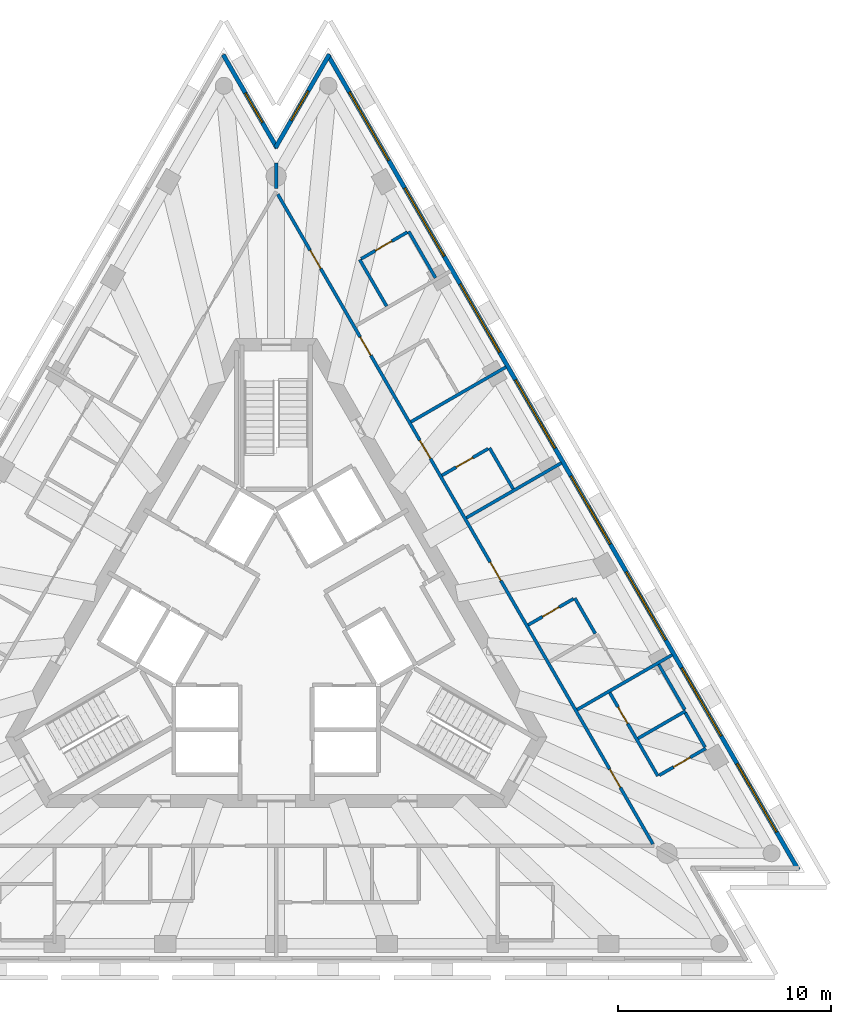
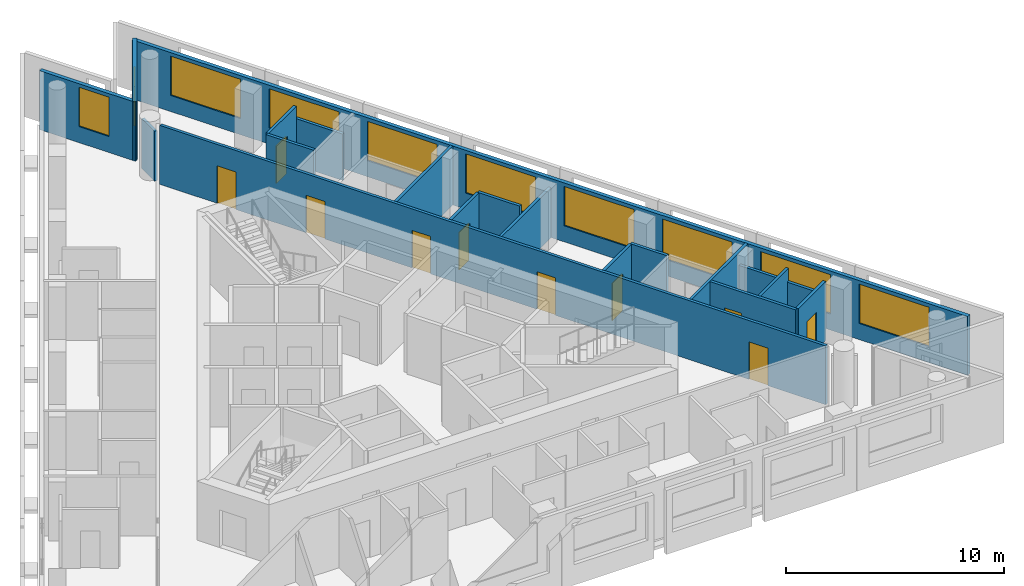
# One storey, part 7 of 10: 20 walls, 10 doors, 10 windows, 20 openings.
"""IFC4 building model written with IfcOpenShell, lengths in metres."""

import ifcopenshell
import ifcopenshell.guid

model = None  # the IFC model being written
_history = None  # IfcOwnerHistory: only IFC2X3 demands one
_inside = {}  # id of a spatial element -> (the spatial element, [elements in it])
_under = {}  # id of a project, library or spatial element -> (it, [spatial elements below it])
_declared = {}  # id of a project -> (the project, [libraries it declares])
_typed = {}  # id of a type object -> (the type object, [elements of that type])
_made_of = {}  # id of a material, layer set ... -> (it, [elements and type objects made of it])


def new_model(schema):
    """Start an empty IFC model of exactly this schema.

    Asked for "IFC4X3", IfcOpenShell would pick the latest addendum, in which some entities
    have other attributes; the version numbers below select the first issue.
    IFC2X3 requires an IfcOwnerHistory on every rooted entity: one is made here for all.
    """
    global model, _history
    if schema == "IFC4X3":
        model = ifcopenshell.file(schema_version=(4, 3, 0, 0))
    else:
        model = ifcopenshell.file(schema=schema)
    _inside.clear()
    _under.clear()
    _declared.clear()
    _typed.clear()
    _made_of.clear()
    _history = None
    if model.schema == "IFC2X3":
        org = make("IfcOrganization", Name="unknown")
        user = make(
            "IfcPersonAndOrganization",
            ThePerson=make("IfcPerson", FamilyName="unknown"),
            TheOrganization=org,
        )
        app = make(
            "IfcApplication",
            ApplicationDeveloper=org,
            Version="unknown",
            ApplicationFullName="unknown",
            ApplicationIdentifier="unknown",
        )
        _history = make(
            "IfcOwnerHistory",
            OwningUser=user,
            OwningApplication=app,
            ChangeAction="ADDED",
            CreationDate=0,
        )
    return model


def make(cls, **values):
    """One entity of the class cls with the attributes given. An attribute that is None is left unset."""
    return model.create_entity(
        cls, **{name: value for name, value in values.items() if value is not None}
    )


def rooted(cls, **values):
    """An entity with a GlobalId (a new one), such as an element, a storey or a relation."""
    return make(cls, GlobalId=ifcopenshell.guid.new(), OwnerHistory=_history, **values)


def si_unit(unit_type, name, prefix=None):
    """IfcSIUnit, for example si_unit("LENGTHUNIT", "METRE", prefix="MILLI")."""
    return make("IfcSIUnit", UnitType=unit_type, Prefix=prefix, Name=name)


def assignment(units):
    """IfcUnitAssignment: the units of a project."""
    return None if units is None else make("IfcUnitAssignment", Units=units)


def point(xyz):
    """IfcCartesianPoint."""
    return None if xyz is None else make("IfcCartesianPoint", Coordinates=xyz)


def direction(xyz):
    """IfcDirection."""
    return None if xyz is None else make("IfcDirection", DirectionRatios=xyz)


def frame(location, z_axis=None, x_axis=None):
    """IfcAxis2Placement3D, a coordinate frame: its origin and axes. An axis left out is left unset."""
    return make(
        "IfcAxis2Placement3D",
        Location=point(location),
        Axis=direction(z_axis),
        RefDirection=direction(x_axis),
    )


def frame_2d(location, x_axis=None):
    """IfcAxis2Placement2D, a coordinate frame in the plane: its origin and x axis."""
    return make(
        "IfcAxis2Placement2D", Location=point(location), RefDirection=direction(x_axis)
    )


def origin():
    """The frame at (0, 0, 0) with its axes left unset."""
    return frame((0.0, 0.0, 0.0))


def place(relative_to, where):
    """IfcLocalPlacement: puts the frame where relative to a parent placement (None: the world)."""
    return make(
        "IfcLocalPlacement", PlacementRelTo=relative_to, RelativePlacement=where
    )


def context(
    kind, dimensions, precision=None, world=None, true_north=None, identifier=None
):
    """IfcGeometricRepresentationContext, for example the 3D "Model" context."""
    return make(
        "IfcGeometricRepresentationContext",
        ContextIdentifier=identifier,
        ContextType=kind,
        CoordinateSpaceDimension=dimensions,
        Precision=precision,
        WorldCoordinateSystem=world,
        TrueNorth=true_north,
    )


def subcontext(parent, identifier, kind, view, scale=None):
    """IfcGeometricRepresentationSubContext, for example "Body" below "Model"."""
    return make(
        "IfcGeometricRepresentationSubContext",
        ContextIdentifier=identifier,
        ContextType=kind,
        ParentContext=parent,
        TargetScale=scale,
        TargetView=view,
    )


def project(units=None, contexts=None):
    """IfcProject with its units and contexts."""
    return rooted(
        "IfcProject",
        Name="project",
        RepresentationContexts=contexts,
        UnitsInContext=assignment(units),
    )


def spatial(cls, under=None, at=None, **own):
    """A site, building, storey or space (cls), placed at a placement, below another one or the project."""
    s = rooted(cls, ObjectPlacement=at, **own)
    if under is not None:
        _under.setdefault(under.id(), (under, []))[1].append(s)
    return s


def profile(cls, at=None, kind="AREA", **sizes):
    """A parametric profile (cls). Its sizes go by their IFC names, for example OverallWidth=200.0."""
    return make(cls, ProfileType=kind, Position=at, **sizes)


def rectangle(**sizes):
    """IfcRectangleProfileDef."""
    return profile("IfcRectangleProfileDef", **sizes)


def extrude(swept, where, along, depth):
    """IfcExtrudedAreaSolid: the profile swept, set in the frame where, extruded along a direction by depth."""
    return make(
        "IfcExtrudedAreaSolid",
        SweptArea=swept,
        Position=where,
        ExtrudedDirection=direction(along),
        Depth=depth,
    )


def shape(context_of_items, identifier, shape_type, items):
    """IfcShapeRepresentation: the items that make up one representation, for example the "Body"."""
    return make(
        "IfcShapeRepresentation",
        ContextOfItems=context_of_items,
        RepresentationIdentifier=identifier,
        RepresentationType=shape_type,
        Items=items,
    )


def material(Name=None, Category=None):
    """IfcMaterial."""
    return make("IfcMaterial", Name=Name, Category=Category)


def layer(
    of_material, thickness, ventilated=None, Name=None, Category=None, Priority=None
):
    """IfcMaterialLayer: one layer of a wall or slab, of a material (None: an air gap)."""
    return make(
        "IfcMaterialLayer",
        Material=of_material,
        LayerThickness=thickness,
        IsVentilated=ventilated,
        Name=Name,
        Category=Category,
        Priority=Priority,
    )


def layer_set(layers, Name=None):
    """IfcMaterialLayerSet."""
    return make("IfcMaterialLayerSet", MaterialLayers=layers, LayerSetName=Name)


def layer_usage(for_layer_set, set_direction, sense, offset, extent=None):
    """IfcMaterialLayerSetUsage: how a layer set lies in its element."""
    return make(
        "IfcMaterialLayerSetUsage",
        ForLayerSet=for_layer_set,
        LayerSetDirection=set_direction,
        DirectionSense=sense,
        OffsetFromReferenceLine=offset,
        ReferenceExtent=extent,
    )


def made_of(thing, what):
    """Note that an element or type object is made of a material, layer set ...; save() writes the relation."""
    if what is not None:
        _made_of.setdefault(what.id(), (what, []))[1].append(thing)
    return thing


def type_object(cls, material=None, **own):
    """A type object (cls), such as IfcWallType, which elements share."""
    return made_of(rooted(cls, **own), material)


def element(
    cls,
    number,
    at=None,
    inside=None,
    cuts=None,
    type_object=None,
    material=None,
    context=None,
    identifier="Body",
    shape_type=None,
    held_by="IfcProductDefinitionShape",
    body=None,
    shapes=None,
    **own,
):
    """One element of the class cls, such as IfcWall. Its Tag is "e" and its number.

    at: its placement. inside: the storey or other place that contains it. cuts: it is an
    opening in that element (IfcRelVoidsElement). A single representation is given by context,
    identifier, shape_type and body (its items); several are given by shapes. held_by: the class
    of the entity that holds the representations. save() writes the other relations.
    """
    e = rooted(cls, Tag="e%d" % number, ObjectPlacement=at, **own)
    if body is not None:
        shapes = [shape(context, identifier, shape_type, body)]
    if shapes is not None:
        e.Representation = make(held_by, Representations=shapes)
    if inside is not None:
        _inside.setdefault(inside.id(), (inside, []))[1].append(e)
    if cuts is not None:
        rooted(
            "IfcRelVoidsElement", RelatingBuildingElement=cuts, RelatedOpeningElement=e
        )
    if type_object is not None:
        _typed.setdefault(type_object.id(), (type_object, []))[1].append(e)
    return made_of(e, material)


def fill(opening, filler):
    """IfcRelFillsElement: the door or window that sits in an opening."""
    return rooted(
        "IfcRelFillsElement",
        RelatingOpeningElement=opening,
        RelatedBuildingElement=filler,
    )


def aggregate(whole, parts):
    """IfcRelAggregates: a whole, such as a stair, and the parts it consists of."""
    return rooted("IfcRelAggregates", RelatingObject=whole, RelatedObjects=parts)


def save(model, path):
    """Write the relations noted so far, then the file.

    IfcRelAggregates (storeys below a building ...), IfcRelContainedInSpatialStructure (elements
    in a storey), IfcRelDefinesByType, IfcRelAssociatesMaterial and IfcRelDeclares: one each for
    every whole, place, type object, material and project.
    """
    for whole, parts in _under.values():
        aggregate(whole, parts)
    for where, things in _inside.values():
        rooted(
            "IfcRelContainedInSpatialStructure",
            RelatedElements=things,
            RelatingStructure=where,
        )
    for kind, things in _typed.values():
        rooted("IfcRelDefinesByType", RelatedObjects=things, RelatingType=kind)
    for what, things in _made_of.values():
        rooted("IfcRelAssociatesMaterial", RelatedObjects=things, RelatingMaterial=what)
    for by, libraries in _declared.values():
        rooted("IfcRelDeclares", RelatingContext=by, RelatedDefinitions=libraries)
    model.write(path)


model = new_model("IFC4")

# Units and contexts
model_context = context("Model", 3, precision=1e-05, world=origin(), true_north=direction((0.0, 1.0)))
body_context = subcontext(model_context, "Body", "Model", "MODEL_VIEW")
ifc_project = project(units=[si_unit("LENGTHUNIT", "METRE"), si_unit("AREAUNIT", "SQUARE_METRE"), si_unit("VOLUMEUNIT", "CUBIC_METRE"), si_unit("PLANEANGLEUNIT", "RADIAN"), si_unit("MASSUNIT", "GRAM", prefix="KILO")], contexts=[model_context])

# Site, building, storey
site_placement = place(None, origin())
site = spatial("IfcSite", under=ifc_project, at=site_placement, CompositionType="ELEMENT")
building_placement = place(site_placement, origin())
building = spatial("IfcBuilding", under=site, at=building_placement, Name="Triada Interchange Tower", CompositionType="ELEMENT")
storey_placement = place(building_placement, frame((0.0, 0.0, 311.5)))
storey = spatial("IfcBuildingStorey", under=building, at=storey_placement, Name="L74", CompositionType="ELEMENT", Elevation=311.5)

# Wall, openings, windows
ifc_material_1 = material(Name="Cement board")
ifc_layer_1 = layer(ifc_material_1, 0.02001953125, Name="Cement board cladding")
ifc_material_2 = material(Name="Sheathing board")
ifc_layer_2 = layer(ifc_material_2, 0.014892578125, Name="Sheathing board")
ifc_material_3 = material(Name="Mineral wool")
ifc_layer_3 = layer(ifc_material_3, 0.14990234375, Name="Mineral wool between steel studs")
ifc_material_4 = material(Name="Gypsum board")
ifc_layer_4 = layer(ifc_material_4, 0.014892578125, Name="Plasterboard lining")
ifc_layer_set_1 = layer_set([ifc_layer_1, ifc_layer_2, ifc_layer_3, ifc_layer_4], Name="External wall 200")
ifc_layer_usage = layer_usage(ifc_layer_set_1, "AXIS2", "POSITIVE", -0.10009765625)
wall_type_1 = type_object("IfcWallType", Name="External wall 200", PredefinedType="ELEMENTEDWALL", material=ifc_layer_set_1)
wall_1_placement = place(storey_placement, frame((24.5439453125, -11.385009765625, 0.0), z_axis=(0.0, 0.0, 1.0), x_axis=(-0.500002044679, 0.866024223285, 0.0)))
wall_1 = element("IfcWall", 1, at=wall_1_placement, inside=storey, type_object=wall_type_1, material=ifc_layer_usage, Name="External wall L74 NE", PredefinedType="ELEMENTEDWALL", context=body_context, shape_type="SweptSolid", body=[
    extrude(rectangle(XDim=44.243408203125, YDim=0.199951171875, at=frame_2d((22.12158203125, 0.0))), origin(), (0.0, 0.0, 1.0), 3.300048828125),
])
opening_1_placement = place(wall_1_placement, frame((2.055908203125, 0.0, 0.89990234375)))
opening_1 = element("IfcOpeningElement", 2, at=opening_1_placement, cuts=wall_1, Name="Opening WD21", PredefinedType="OPENING", context=body_context, shape_type="SweptSolid", body=[
    extrude(rectangle(XDim=3.699951171875, YDim=2.199951171875, at=frame_2d((1.85009765625, 1.10009765625))), frame((0.0, 0.10986328125, 0.0), z_axis=(0.0, -1.0, 0.0), x_axis=(1.0, 0.0, 0.0)), (0.0, 0.0, 1.0), 0.219970703125),
])
opening_2_placement = place(wall_1_placement, frame((7.263916015625, 0.0, 0.89990234375)))
opening_2 = element("IfcOpeningElement", 3, at=opening_2_placement, cuts=wall_1, Name="Opening WD22", PredefinedType="OPENING", context=body_context, shape_type="SweptSolid", body=[
    extrude(rectangle(XDim=3.699951171875, YDim=2.199951171875, at=frame_2d((1.85009765625, 1.10009765625))), frame((0.0, 0.10986328125, 0.0), z_axis=(0.0, -1.0, 0.0), x_axis=(1.0, 0.0, 0.0)), (0.0, 0.0, 1.0), 0.219970703125),
])
opening_3_placement = place(wall_1_placement, frame((12.470947265625, 0.0, 0.89990234375)))
opening_3 = element("IfcOpeningElement", 4, at=opening_3_placement, cuts=wall_1, Name="Opening WD23", PredefinedType="OPENING", context=body_context, shape_type="SweptSolid", body=[
    extrude(rectangle(XDim=3.699951171875, YDim=2.199951171875, at=frame_2d((1.85009765625, 1.10009765625))), frame((0.0, 0.10986328125, 0.0), z_axis=(0.0, -1.0, 0.0), x_axis=(1.0, 0.0, 0.0)), (0.0, 0.0, 1.0), 0.219970703125),
])
opening_4_placement = place(wall_1_placement, frame((17.677978515625, 0.0, 0.89990234375)))
opening_4 = element("IfcOpeningElement", 5, at=opening_4_placement, cuts=wall_1, Name="Opening WD24", PredefinedType="OPENING", context=body_context, shape_type="SweptSolid", body=[
    extrude(rectangle(XDim=3.699951171875, YDim=2.199951171875, at=frame_2d((1.85009765625, 1.10009765625))), frame((0.0, 0.10986328125, 0.0), z_axis=(0.0, -1.0, 0.0), x_axis=(1.0, 0.0, 0.0)), (0.0, 0.0, 1.0), 0.219970703125),
])
opening_5_placement = place(wall_1_placement, frame((22.885009765625, 0.0, 0.89990234375)))
opening_5 = element("IfcOpeningElement", 6, at=opening_5_placement, cuts=wall_1, Name="Opening WD25", PredefinedType="OPENING", context=body_context, shape_type="SweptSolid", body=[
    extrude(rectangle(XDim=3.699951171875, YDim=2.199951171875, at=frame_2d((1.85009765625, 1.10009765625))), frame((0.0, 0.10986328125, 0.0), z_axis=(0.0, -1.0, 0.0), x_axis=(1.0, 0.0, 0.0)), (0.0, 0.0, 1.0), 0.219970703125),
])
opening_6_placement = place(wall_1_placement, frame((28.093017578125, 0.0, 0.89990234375)))
opening_6 = element("IfcOpeningElement", 7, at=opening_6_placement, cuts=wall_1, Name="Opening WD26", PredefinedType="OPENING", context=body_context, shape_type="SweptSolid", body=[
    extrude(rectangle(XDim=3.699951171875, YDim=2.199951171875, at=frame_2d((1.85009765625, 1.10009765625))), frame((0.0, 0.10986328125, 0.0), z_axis=(0.0, -1.0, 0.0), x_axis=(1.0, 0.0, 0.0)), (0.0, 0.0, 1.0), 0.219970703125),
])
opening_7_placement = place(wall_1_placement, frame((33.300048828125, 0.0, 0.89990234375)))
opening_7 = element("IfcOpeningElement", 8, at=opening_7_placement, cuts=wall_1, Name="Opening WD27", PredefinedType="OPENING", context=body_context, shape_type="SweptSolid", body=[
    extrude(rectangle(XDim=3.699951171875, YDim=2.199951171875, at=frame_2d((1.85009765625, 1.10009765625))), frame((0.0, 0.10986328125, 0.0), z_axis=(0.0, -1.0, 0.0), x_axis=(1.0, 0.0, 0.0)), (0.0, 0.0, 1.0), 0.219970703125),
])
opening_8_placement = place(wall_1_placement, frame((38.507080078125, 0.0, 0.89990234375)))
opening_8 = element("IfcOpeningElement", 9, at=opening_8_placement, cuts=wall_1, Name="Opening WD28", PredefinedType="OPENING", context=body_context, shape_type="SweptSolid", body=[
    extrude(rectangle(XDim=3.699951171875, YDim=2.199951171875, at=frame_2d((1.85009765625, 1.10009765625))), frame((0.0, 0.10986328125, 0.0), z_axis=(0.0, -1.0, 0.0), x_axis=(1.0, 0.0, 0.0)), (0.0, 0.0, 1.0), 0.219970703125),
])
ifc_material_5 = material(Name="Double glazed aluminium window", Category="aluminium")
window_type_1 = type_object("IfcWindowType", Name="Ribbon window D face", PartitioningType="SINGLE_PANEL", PredefinedType="WINDOW", material=ifc_material_5)
window_1_placement = place(opening_1_placement, origin())
window_1 = element("IfcWindow", 10, at=window_1_placement, inside=storey, type_object=window_type_1, Name="Window L74 NE 1", OverallHeight=2.199951171875, OverallWidth=3.699951171875, PartitioningType="SINGLE_PANEL", PredefinedType="WINDOW", context=body_context, shape_type="SweptSolid", body=[
    extrude(rectangle(XDim=3.699951171875, YDim=2.199951171875, at=frame_2d((1.85009765625, 1.10009765625))), frame((0.0, 0.030029296875, 0.0), z_axis=(0.0, -1.0, 0.0), x_axis=(1.0, 0.0, 0.0)), (0.0, 0.0, 1.0), 0.06005859375),
])
fill(opening_1, window_1)
window_2_placement = place(opening_2_placement, origin())
window_2 = element("IfcWindow", 11, at=window_2_placement, inside=storey, type_object=window_type_1, Name="Window L74 NE 2", OverallHeight=2.199951171875, OverallWidth=3.699951171875, PartitioningType="SINGLE_PANEL", PredefinedType="WINDOW", context=body_context, shape_type="SweptSolid", body=[
    extrude(rectangle(XDim=3.699951171875, YDim=2.199951171875, at=frame_2d((1.85009765625, 1.10009765625))), frame((0.0, 0.030029296875, 0.0), z_axis=(0.0, -1.0, 0.0), x_axis=(1.0, 0.0, 0.0)), (0.0, 0.0, 1.0), 0.06005859375),
])
fill(opening_2, window_2)
window_3_placement = place(opening_3_placement, origin())
window_3 = element("IfcWindow", 12, at=window_3_placement, inside=storey, type_object=window_type_1, Name="Window L74 NE 3", OverallHeight=2.199951171875, OverallWidth=3.699951171875, PartitioningType="SINGLE_PANEL", PredefinedType="WINDOW", context=body_context, shape_type="SweptSolid", body=[
    extrude(rectangle(XDim=3.699951171875, YDim=2.199951171875, at=frame_2d((1.85009765625, 1.10009765625))), frame((0.0, 0.030029296875, 0.0), z_axis=(0.0, -1.0, 0.0), x_axis=(1.0, 0.0, 0.0)), (0.0, 0.0, 1.0), 0.06005859375),
])
fill(opening_3, window_3)
window_4_placement = place(opening_4_placement, origin())
window_4 = element("IfcWindow", 13, at=window_4_placement, inside=storey, type_object=window_type_1, Name="Window L74 NE 4", OverallHeight=2.199951171875, OverallWidth=3.699951171875, PartitioningType="SINGLE_PANEL", PredefinedType="WINDOW", context=body_context, shape_type="SweptSolid", body=[
    extrude(rectangle(XDim=3.699951171875, YDim=2.199951171875, at=frame_2d((1.85009765625, 1.10009765625))), frame((0.0, 0.030029296875, 0.0), z_axis=(0.0, -1.0, 0.0), x_axis=(1.0, 0.0, 0.0)), (0.0, 0.0, 1.0), 0.06005859375),
])
fill(opening_4, window_4)
window_5_placement = place(opening_5_placement, origin())
window_5 = element("IfcWindow", 14, at=window_5_placement, inside=storey, type_object=window_type_1, Name="Window L74 NE 5", OverallHeight=2.199951171875, OverallWidth=3.699951171875, PartitioningType="SINGLE_PANEL", PredefinedType="WINDOW", context=body_context, shape_type="SweptSolid", body=[
    extrude(rectangle(XDim=3.699951171875, YDim=2.199951171875, at=frame_2d((1.85009765625, 1.10009765625))), frame((0.0, 0.030029296875, 0.0), z_axis=(0.0, -1.0, 0.0), x_axis=(1.0, 0.0, 0.0)), (0.0, 0.0, 1.0), 0.06005859375),
])
fill(opening_5, window_5)
window_6_placement = place(opening_6_placement, origin())
window_6 = element("IfcWindow", 15, at=window_6_placement, inside=storey, type_object=window_type_1, Name="Window L74 NE 6", OverallHeight=2.199951171875, OverallWidth=3.699951171875, PartitioningType="SINGLE_PANEL", PredefinedType="WINDOW", context=body_context, shape_type="SweptSolid", body=[
    extrude(rectangle(XDim=3.699951171875, YDim=2.199951171875, at=frame_2d((1.85009765625, 1.10009765625))), frame((0.0, 0.030029296875, 0.0), z_axis=(0.0, -1.0, 0.0), x_axis=(1.0, 0.0, 0.0)), (0.0, 0.0, 1.0), 0.06005859375),
])
fill(opening_6, window_6)
window_7_placement = place(opening_7_placement, origin())
window_7 = element("IfcWindow", 16, at=window_7_placement, inside=storey, type_object=window_type_1, Name="Window L74 NE 7", OverallHeight=2.199951171875, OverallWidth=3.699951171875, PartitioningType="SINGLE_PANEL", PredefinedType="WINDOW", context=body_context, shape_type="SweptSolid", body=[
    extrude(rectangle(XDim=3.699951171875, YDim=2.199951171875, at=frame_2d((1.85009765625, 1.10009765625))), frame((0.0, 0.030029296875, 0.0), z_axis=(0.0, -1.0, 0.0), x_axis=(1.0, 0.0, 0.0)), (0.0, 0.0, 1.0), 0.06005859375),
])
fill(opening_7, window_7)
window_8_placement = place(opening_8_placement, origin())
window_8 = element("IfcWindow", 17, at=window_8_placement, inside=storey, type_object=window_type_1, Name="Window L74 NE 8", OverallHeight=2.199951171875, OverallWidth=3.699951171875, PartitioningType="SINGLE_PANEL", PredefinedType="WINDOW", context=body_context, shape_type="SweptSolid", body=[
    extrude(rectangle(XDim=3.699951171875, YDim=2.199951171875, at=frame_2d((1.85009765625, 1.10009765625))), frame((0.0, 0.030029296875, 0.0), z_axis=(0.0, -1.0, 0.0), x_axis=(1.0, 0.0, 0.0)), (0.0, 0.0, 1.0), 0.06005859375),
])
fill(opening_8, window_8)

# Wall, opening, window
wall_2_placement = place(storey_placement, frame((2.501953125, 26.947998046875, 0.0), z_axis=(0.0, 0.0, 1.0), x_axis=(-0.499911250765, -0.866076637116, 0.0)))
wall_2 = element("IfcWall", 18, at=wall_2_placement, inside=storey, type_object=wall_type_1, material=ifc_layer_usage, Name="External wall L74 N-1", PredefinedType="ELEMENTEDWALL", context=body_context, shape_type="SweptSolid", body=[
    extrude(rectangle(XDim=5.07470703125, YDim=0.199951171875, at=frame_2d((2.537353515625, 0.0))), origin(), (0.0, 0.0, 1.0), 3.300048828125),
])
opening_9_placement = place(wall_2_placement, frame((1.989990234375, 0.0, 0.89990234375)))
opening_9 = element("IfcOpeningElement", 19, at=opening_9_placement, cuts=wall_2, Name="Opening WD29", PredefinedType="OPENING", context=body_context, shape_type="SweptSolid", body=[
    extrude(rectangle(XDim=1.60009765625, YDim=2.199951171875, at=frame_2d((0.800048828125, 1.10009765625))), frame((0.0, 0.10986328125, 0.0), z_axis=(0.0, -1.0, 0.0), x_axis=(1.0, 0.0, 0.0)), (0.0, 0.0, 1.0), 0.219970703125),
])
window_type_2 = type_object("IfcWindowType", Name="Ribbon window D pocket", PartitioningType="SINGLE_PANEL", PredefinedType="WINDOW", material=ifc_material_5)
window_9_placement = place(opening_9_placement, origin())
window_9 = element("IfcWindow", 20, at=window_9_placement, inside=storey, type_object=window_type_2, Name="Window L74 N-1 1", OverallHeight=2.199951171875, OverallWidth=1.60009765625, PartitioningType="SINGLE_PANEL", PredefinedType="WINDOW", context=body_context, shape_type="SweptSolid", body=[
    extrude(rectangle(XDim=1.60009765625, YDim=2.199951171875, at=frame_2d((0.800048828125, 1.10009765625))), frame((0.0, 0.030029296875, 0.0), z_axis=(0.0, -1.0, 0.0), x_axis=(1.0, 0.0, 0.0)), (0.0, 0.0, 1.0), 0.06005859375),
])
fill(opening_9, window_9)

wall_3_placement = place(storey_placement, frame((0.044921875, 22.535888671875, 0.0), z_axis=(0.0, 0.0, 1.0), x_axis=(-0.499911250765, 0.866076637116, 0.0)))
wall_3 = element("IfcWall", 21, at=wall_3_placement, inside=storey, type_object=wall_type_1, material=ifc_layer_usage, Name="External wall L74 N-2", PredefinedType="ELEMENTEDWALL", context=body_context, shape_type="SweptSolid", body=[
    extrude(rectangle(XDim=5.07470703125, YDim=0.199951171875, at=frame_2d((2.537353515625, 0.0))), origin(), (0.0, 0.0, 1.0), 3.300048828125),
])
opening_10_placement = place(wall_3_placement, frame((1.389892578125, 0.0, 0.89990234375)))
opening_10 = element("IfcOpeningElement", 22, at=opening_10_placement, cuts=wall_3, Name="Opening WD30", PredefinedType="OPENING", context=body_context, shape_type="SweptSolid", body=[
    extrude(rectangle(XDim=1.60009765625, YDim=2.199951171875, at=frame_2d((0.800048828125, 1.10009765625))), frame((0.0, 0.10986328125, 0.0), z_axis=(0.0, -1.0, 0.0), x_axis=(1.0, 0.0, 0.0)), (0.0, 0.0, 1.0), 0.219970703125),
])
window_10_placement = place(opening_10_placement, origin())
window_10 = element("IfcWindow", 23, at=window_10_placement, inside=storey, type_object=window_type_2, Name="Window L74 N-2 1", OverallHeight=2.199951171875, OverallWidth=1.60009765625, PartitioningType="SINGLE_PANEL", PredefinedType="WINDOW", context=body_context, shape_type="SweptSolid", body=[
    extrude(rectangle(XDim=1.60009765625, YDim=2.199951171875, at=frame_2d((0.800048828125, 1.10009765625))), frame((0.0, 0.030029296875, 0.0), z_axis=(0.0, -1.0, 0.0), x_axis=(1.0, 0.0, 0.0)), (0.0, 0.0, 1.0), 0.06005859375),
])
fill(opening_10, window_10)

# Walls
ifc_material_6 = material(Name="Gypsum board partition")
ifc_layer_5 = layer(ifc_material_6, 0.14990234375)
ifc_layer_set_2 = layer_set([ifc_layer_5], Name="PARTITION 150 EI 180")
wall_type_2 = type_object("IfcWallType", Name="PARTITION 150 EI 180", PredefinedType="PARTITIONING", material=ifc_layer_set_2)
wall_4_placement = place(storey_placement, frame((8.94189453125, 5.162109375, 0.0), z_axis=(0.0, 0.0, 1.0), x_axis=(0.86604134632, 0.499972385701, 0.0)))
element("IfcWall", 24, at=wall_4_placement, inside=storey, type_object=wall_type_2, Name="Wall L74 2", PredefinedType="PARTITIONING", context=body_context, shape_type="SweptSolid", body=[
    extrude(rectangle(XDim=5.157958984375, YDim=0.14990234375, at=frame_2d((2.5791015625, 0.0))), origin(), (0.0, 0.0, 1.0), 2.800048828125),
])
wall_5_placement = place(storey_placement, frame((0.0, 20.64990234375, 0.0), z_axis=(0.0, 0.0, 1.0), x_axis=(0.0, 1.0, 0.0)))
element("IfcWall", 25, at=wall_5_placement, inside=storey, type_object=wall_type_2, Name="Wall L74 21", PredefinedType="PARTITIONING", context=body_context, shape_type="SweptSolid", body=[
    extrude(rectangle(XDim=1.18408203125, YDim=0.14990234375, at=frame_2d((0.592041015625, 0.0))), origin(), (0.0, 0.0, 1.0), 2.800048828125),
])

# Wall, openings, doors
wall_6_placement = place(storey_placement, frame((0.074951171875, 20.3701171875, 0.0), z_axis=(0.0, 0.0, 1.0), x_axis=(0.500006672087, -0.866021551619, 0.0)))
wall_6 = element("IfcWall", 26, at=wall_6_placement, inside=storey, type_object=wall_type_2, Name="Wall L74 22", PredefinedType="PARTITIONING", context=body_context, shape_type="SweptSolid", body=[
    extrude(rectangle(XDim=35.26953125, YDim=0.14990234375, at=frame_2d((17.634765625, 0.0))), origin(), (0.0, 0.0, 1.0), 3.300048828125),
])
opening_11_placement = place(wall_6_placement, frame((31.2060546875, 0.0, 0.0)))
opening_11 = element("IfcOpeningElement", 27, at=opening_11_placement, cuts=wall_6, Name="Opening D74-23", PredefinedType="OPENING", context=body_context, shape_type="SweptSolid", body=[
    extrude(rectangle(XDim=1.0, YDim=2.10009765625, at=frame_2d((0.5, 1.050048828125))), frame((0.0, 0.0849609375, 0.0), z_axis=(0.0, -1.0, 0.0), x_axis=(1.0, 0.0, 0.0)), (0.0, 0.0, 1.0), 0.169921875),
])
opening_12_placement = place(wall_6_placement, frame((19.968017578125, 0.0, 0.0)))
opening_12 = element("IfcOpeningElement", 28, at=opening_12_placement, cuts=wall_6, Name="Opening D74-26", PredefinedType="OPENING", context=body_context, shape_type="SweptSolid", body=[
    extrude(rectangle(XDim=1.0, YDim=2.10009765625, at=frame_2d((0.5, 1.050048828125))), frame((0.0, 0.0849609375, 0.0), z_axis=(0.0, -1.0, 0.0), x_axis=(1.0, 0.0, 0.0)), (0.0, 0.0, 1.0), 0.169921875),
])
opening_13_placement = place(wall_6_placement, frame((13.35302734375, 0.0, 0.0)))
opening_13 = element("IfcOpeningElement", 29, at=opening_13_placement, cuts=wall_6, Name="Opening D74-29", PredefinedType="OPENING", context=body_context, shape_type="SweptSolid", body=[
    extrude(rectangle(XDim=1.0, YDim=2.10009765625, at=frame_2d((0.5, 1.050048828125))), frame((0.0, 0.0849609375, 0.0), z_axis=(0.0, -1.0, 0.0), x_axis=(1.0, 0.0, 0.0)), (0.0, 0.0, 1.0), 0.169921875),
])
opening_14_placement = place(wall_6_placement, frame((7.74609375, 0.0, 0.0)))
opening_14 = element("IfcOpeningElement", 30, at=opening_14_placement, cuts=wall_6, Name="Opening D74-31", PredefinedType="OPENING", context=body_context, shape_type="SweptSolid", body=[
    extrude(rectangle(XDim=1.0, YDim=2.10009765625, at=frame_2d((0.5, 1.050048828125))), frame((0.0, 0.0849609375, 0.0), z_axis=(0.0, -1.0, 0.0), x_axis=(1.0, 0.0, 0.0)), (0.0, 0.0, 1.0), 0.169921875),
])
opening_15_placement = place(wall_6_placement, frame((3.0380859375, 0.0, 0.0)))
opening_15 = element("IfcOpeningElement", 31, at=opening_15_placement, cuts=wall_6, Name="Opening D74-33", PredefinedType="OPENING", context=body_context, shape_type="SweptSolid", body=[
    extrude(rectangle(XDim=1.0, YDim=2.10009765625, at=frame_2d((0.5, 1.050048828125))), frame((0.0, 0.0849609375, 0.0), z_axis=(0.0, -1.0, 0.0), x_axis=(1.0, 0.0, 0.0)), (0.0, 0.0, 1.0), 0.169921875),
])
ifc_material_7 = material(Name="Steel S235 door leaf", Category="steel")
door_type_1 = type_object("IfcDoorType", Name="GUEST ROOM DOOR 1000 EI2 90-C5S200", OperationType="NOTDEFINED", PredefinedType="DOOR", material=ifc_material_7)
door_1_placement = place(opening_11_placement, origin())
door_1 = element("IfcDoor", 32, at=door_1_placement, inside=storey, type_object=door_type_1, Name="Door D74-23 L74", OperationType="SINGLE_SWING_RIGHT", OverallHeight=2.10009765625, OverallWidth=1.0, PredefinedType="DOOR", context=body_context, shape_type="SweptSolid", body=[
    extrude(rectangle(XDim=1.0, YDim=2.10009765625, at=frame_2d((0.5, 1.050048828125))), frame((0.0, 0.02490234375, 0.0), z_axis=(0.0, -1.0, 0.0), x_axis=(1.0, 0.0, 0.0)), (0.0, 0.0, 1.0), 0.050048828125),
])
fill(opening_11, door_1)
door_2_placement = place(opening_12_placement, origin())
door_2 = element("IfcDoor", 33, at=door_2_placement, inside=storey, type_object=door_type_1, Name="Door D74-26 L74", OperationType="SINGLE_SWING_RIGHT", OverallHeight=2.10009765625, OverallWidth=1.0, PredefinedType="DOOR", context=body_context, shape_type="SweptSolid", body=[
    extrude(rectangle(XDim=1.0, YDim=2.10009765625, at=frame_2d((0.5, 1.050048828125))), frame((0.0, 0.02490234375, 0.0), z_axis=(0.0, -1.0, 0.0), x_axis=(1.0, 0.0, 0.0)), (0.0, 0.0, 1.0), 0.050048828125),
])
fill(opening_12, door_2)
door_3_placement = place(opening_13_placement, origin())
door_3 = element("IfcDoor", 34, at=door_3_placement, inside=storey, type_object=door_type_1, Name="Door D74-29 L74", OperationType="SINGLE_SWING_LEFT", OverallHeight=2.10009765625, OverallWidth=1.0, PredefinedType="DOOR", context=body_context, shape_type="SweptSolid", body=[
    extrude(rectangle(XDim=1.0, YDim=2.10009765625, at=frame_2d((0.5, 1.050048828125))), frame((0.0, 0.02490234375, 0.0), z_axis=(0.0, -1.0, 0.0), x_axis=(1.0, 0.0, 0.0)), (0.0, 0.0, 1.0), 0.050048828125),
])
fill(opening_13, door_3)
door_4_placement = place(opening_14_placement, origin())
door_4 = element("IfcDoor", 35, at=door_4_placement, inside=storey, type_object=door_type_1, Name="Door D74-31 L74", OperationType="SINGLE_SWING_RIGHT", OverallHeight=2.10009765625, OverallWidth=1.0, PredefinedType="DOOR", context=body_context, shape_type="SweptSolid", body=[
    extrude(rectangle(XDim=1.0, YDim=2.10009765625, at=frame_2d((0.5, 1.050048828125))), frame((0.0, 0.02490234375, 0.0), z_axis=(0.0, -1.0, 0.0), x_axis=(1.0, 0.0, 0.0)), (0.0, 0.0, 1.0), 0.050048828125),
])
fill(opening_14, door_4)
door_5_placement = place(opening_15_placement, origin())
door_5 = element("IfcDoor", 36, at=door_5_placement, inside=storey, type_object=door_type_1, Name="Door D74-33 L74", OperationType="SINGLE_SWING_LEFT", OverallHeight=2.10009765625, OverallWidth=1.0, PredefinedType="DOOR", context=body_context, shape_type="SweptSolid", body=[
    extrude(rectangle(XDim=1.0, YDim=2.10009765625, at=frame_2d((0.5, 1.050048828125))), frame((0.0, 0.02490234375, 0.0), z_axis=(0.0, -1.0, 0.0), x_axis=(1.0, 0.0, 0.0)), (0.0, 0.0, 1.0), 0.050048828125),
])
fill(opening_15, door_5)

# Walls
for number, where, z_axis, x_axis, name in (
    (37, (6.337890625, 9.672119140625, 0.0), (0.0, 0.0, 1.0), (0.86604134632, 0.499972385701, 0.0), "Wall L74 27"),
    (38, (14.14892578125, -3.85693359375, 0.0), (0.0, 0.0, 1.0), (0.86604134632, 0.499972385701, 0.0), "Wall L74 29"),
):
    element("IfcWall", number, at=place(storey_placement, frame(where, z_axis=z_axis, x_axis=x_axis)), inside=storey, type_object=wall_type_2, Name=name, PredefinedType="PARTITIONING", context=body_context, shape_type="SweptSolid", body=[
        extrude(rectangle(XDim=5.157958984375, YDim=0.14990234375, at=frame_2d((2.5791015625, 0.0))), origin(), (0.0, 0.0, 1.0), 3.300048828125),
    ])
ifc_layer_6 = layer(ifc_material_6, 0.14990234375)
ifc_layer_set_3 = layer_set([ifc_layer_6], Name="PARTITION 150 EI 90")
wall_type_3 = type_object("IfcWallType", Name="PARTITION 150 EI 90", PredefinedType="PARTITIONING", material=ifc_layer_set_3)
wall_7_placement = place(storey_placement, frame((10.027099609375, 8.445068359375, 0.0), z_axis=(0.0, 0.0, 1.0), x_axis=(0.500080171303, -0.865979111913, 0.0)))
element("IfcWall", 39, at=wall_7_placement, inside=storey, type_object=wall_type_3, Name="Wall L74 48", PredefinedType="PARTITIONING", context=body_context, shape_type="SweptSolid", body=[
    extrude(rectangle(XDim=2.225341796875, YDim=0.14990234375, at=frame_2d((1.11279296875, 0.0))), origin(), (0.0, 0.0, 1.0), 3.300048828125),
])

# Wall, opening, door
wall_8_placement = place(storey_placement, frame((7.7919921875, 7.155029296875, 0.0), z_axis=(0.0, 0.0, 1.0), x_axis=(0.866003851672, 0.500037327496, 0.0)))
wall_8 = element("IfcWall", 40, at=wall_8_placement, inside=storey, type_object=wall_type_3, Name="Wall L74 51", PredefinedType="PARTITIONING", context=body_context, shape_type="SweptSolid", body=[
    extrude(rectangle(XDim=2.505615234375, YDim=0.14990234375, at=frame_2d((1.2529296875, 0.0))), origin(), (0.0, 0.0, 1.0), 3.300048828125),
])
opening_16_placement = place(wall_8_placement, frame((0.77392578125, 0.0, 0.0)))
opening_16 = element("IfcOpeningElement", 41, at=opening_16_placement, cuts=wall_8, Name="Opening D74-30", PredefinedType="OPENING", context=body_context, shape_type="SweptSolid", body=[
    extrude(rectangle(XDim=0.89990234375, YDim=2.10009765625, at=frame_2d((0.449951171875, 1.050048828125))), frame((0.0, 0.0849609375, 0.0), z_axis=(0.0, -1.0, 0.0), x_axis=(1.0, 0.0, 0.0)), (0.0, 0.0, 1.0), 0.169921875),
])
door_type_2 = type_object("IfcDoorType", Name="ROOM DOOR 900 EI2 45-C5S200", OperationType="NOTDEFINED", PredefinedType="DOOR", material=ifc_material_7)
door_6_placement = place(opening_16_placement, origin())
door_6 = element("IfcDoor", 42, at=door_6_placement, inside=storey, type_object=door_type_2, Name="Door D74-30 L74", OperationType="SINGLE_SWING_RIGHT", OverallHeight=2.10009765625, OverallWidth=0.89990234375, PredefinedType="DOOR", context=body_context, shape_type="SweptSolid", body=[
    extrude(rectangle(XDim=0.89990234375, YDim=2.10009765625, at=frame_2d((0.449951171875, 1.050048828125))), frame((0.0, 0.02490234375, 0.0), z_axis=(0.0, -1.0, 0.0), x_axis=(1.0, 0.0, 0.0)), (0.0, 0.0, 1.0), 0.050048828125),
])
fill(opening_16, door_6)

# Wall
wall_9_placement = place(storey_placement, frame((14.035888671875, 1.388916015625, 0.0), z_axis=(0.0, 0.0, 1.0), x_axis=(0.499890818081, -0.866088430819, 0.0)))
element("IfcWall", 43, at=wall_9_placement, inside=storey, type_object=wall_type_3, Name="Wall L74 53", PredefinedType="PARTITIONING", context=body_context, shape_type="SweptSolid", body=[
    extrude(rectangle(XDim=1.9248046875, YDim=0.14990234375, at=frame_2d((0.96240234375, 0.0))), origin(), (0.0, 0.0, 1.0), 3.300048828125),
])

# Wall, opening, door
wall_10_placement = place(storey_placement, frame((11.84912109375, 0.126953125, 0.0), z_axis=(0.0, 0.0, 1.0), x_axis=(0.866014668023, 0.500018594424, 0.0)))
wall_10 = element("IfcWall", 44, at=wall_10_placement, inside=storey, type_object=wall_type_3, Name="Wall L74 54", PredefinedType="PARTITIONING", context=body_context, shape_type="SweptSolid", body=[
    extrude(rectangle(XDim=2.4501953125, YDim=0.14990234375, at=frame_2d((1.22509765625, 0.0))), origin(), (0.0, 0.0, 1.0), 3.300048828125),
])
opening_17_placement = place(wall_10_placement, frame((0.77490234375, 0.0, 0.0)))
opening_17 = element("IfcOpeningElement", 45, at=opening_17_placement, cuts=wall_10, Name="Opening D74-28", PredefinedType="OPENING", context=body_context, shape_type="SweptSolid", body=[
    extrude(rectangle(XDim=0.89990234375, YDim=2.10009765625, at=frame_2d((0.449951171875, 1.050048828125))), frame((0.0, 0.0849609375, 0.0), z_axis=(0.0, -1.0, 0.0), x_axis=(1.0, 0.0, 0.0)), (0.0, 0.0, 1.0), 0.169921875),
])
door_type_3 = type_object("IfcDoorType", Name="SERVICE DOOR 900 EI2 45-C5S200", OperationType="NOTDEFINED", PredefinedType="DOOR", material=ifc_material_7)
door_7_placement = place(opening_17_placement, origin())
door_7 = element("IfcDoor", 46, at=door_7_placement, inside=storey, type_object=door_type_3, Name="Door D74-28 L74", OperationType="SINGLE_SWING_RIGHT", OverallHeight=2.10009765625, OverallWidth=0.89990234375, PredefinedType="DOOR", context=body_context, shape_type="SweptSolid", body=[
    extrude(rectangle(XDim=0.89990234375, YDim=2.10009765625, at=frame_2d((0.449951171875, 1.050048828125))), frame((0.0, 0.02490234375, 0.0), z_axis=(0.0, -1.0, 0.0), x_axis=(1.0, 0.0, 0.0)), (0.0, 0.0, 1.0), 0.050048828125),
])
fill(opening_17, door_7)

# Wall
wall_11_placement = place(storey_placement, frame((3.927978515625, 17.2958984375, 0.0), z_axis=(0.0, 0.0, 1.0), x_axis=(0.50028887667, -0.865858556509, 0.0)))
element("IfcWall", 47, at=wall_11_placement, inside=storey, type_object=wall_type_3, Name="Wall L74 56", PredefinedType="PARTITIONING", context=body_context, shape_type="SweptSolid", body=[
    extrude(rectangle(XDim=2.5244140625, YDim=0.14990234375, at=frame_2d((1.26220703125, 0.0))), origin(), (0.0, 0.0, 1.0), 3.300048828125),
])

# Wall, opening, door
wall_12_placement = place(storey_placement, frame((15.679931640625, -3.05908203125, 0.0), z_axis=(0.0, 0.0, 1.0), x_axis=(0.500096029888, -0.865969953804, 0.0)))
wall_12 = element("IfcWall", 48, at=wall_12_placement, inside=storey, type_object=wall_type_3, Name="Wall L74 57", PredefinedType="PARTITIONING", context=body_context, shape_type="SweptSolid", body=[
    extrude(rectangle(XDim=4.525390625, YDim=0.14990234375, at=frame_2d((2.2626953125, 0.0))), origin(), (0.0, 0.0, 1.0), 3.300048828125),
])
opening_18_placement = place(wall_12_placement, frame((0.77587890625, 0.0, 0.0)))
opening_18 = element("IfcOpeningElement", 49, at=opening_18_placement, cuts=wall_12, Name="Opening D74-24", PredefinedType="OPENING", context=body_context, shape_type="SweptSolid", body=[
    extrude(rectangle(XDim=0.89990234375, YDim=2.10009765625, at=frame_2d((0.449951171875, 1.050048828125))), frame((0.0, 0.0849609375, 0.0), z_axis=(0.0, -1.0, 0.0), x_axis=(1.0, 0.0, 0.0)), (0.0, 0.0, 1.0), 0.169921875),
])
door_8_placement = place(opening_18_placement, origin())
door_8 = element("IfcDoor", 50, at=door_8_placement, inside=storey, type_object=door_type_2, Name="Door D74-24 L74", OperationType="SINGLE_SWING_LEFT", OverallHeight=2.10009765625, OverallWidth=0.89990234375, PredefinedType="DOOR", context=body_context, shape_type="SweptSolid", body=[
    extrude(rectangle(XDim=0.89990234375, YDim=2.10009765625, at=frame_2d((0.449951171875, 1.050048828125))), frame((0.0, 0.02490234375, 0.0), z_axis=(0.0, -1.0, 0.0), x_axis=(1.0, 0.0, 0.0)), (0.0, 0.0, 1.0), 0.050048828125),
])
fill(opening_18, door_8)

# Wall
wall_13_placement = place(storey_placement, frame((17.008056640625, -5.208984375, 0.0), z_axis=(0.0, 0.0, 1.0), x_axis=(0.865999760466, 0.500044412901, 0.0)))
element("IfcWall", 51, at=wall_13_placement, inside=storey, type_object=wall_type_3, Name="Wall L74 58", PredefinedType="PARTITIONING", context=body_context, shape_type="SweptSolid", body=[
    extrude(rectangle(XDim=2.581787109375, YDim=0.14990234375, at=frame_2d((1.291015625, 0.0))), origin(), (0.0, 0.0, 1.0), 3.300048828125),
])

# Wall, opening, door
wall_14_placement = place(storey_placement, frame((18.008056640625, -6.94091796875, 0.0), z_axis=(0.0, 0.0, 1.0), x_axis=(0.865979509711, 0.500079482444, 0.0)))
wall_14 = element("IfcWall", 52, at=wall_14_placement, inside=storey, type_object=wall_type_3, Name="Wall L74 59", PredefinedType="PARTITIONING", context=body_context, shape_type="SweptSolid", body=[
    extrude(rectangle(XDim=2.525390625, YDim=0.14990234375, at=frame_2d((1.2626953125, 0.0))), origin(), (0.0, 0.0, 1.0), 3.300048828125),
])
opening_19_placement = place(wall_14_placement, frame((0.77490234375, 0.0, 0.0)))
opening_19 = element("IfcOpeningElement", 53, at=opening_19_placement, cuts=wall_14, Name="Opening D74-25", PredefinedType="OPENING", context=body_context, shape_type="SweptSolid", body=[
    extrude(rectangle(XDim=0.89990234375, YDim=2.10009765625, at=frame_2d((0.449951171875, 1.050048828125))), frame((0.0, 0.0849609375, 0.0), z_axis=(0.0, -1.0, 0.0), x_axis=(1.0, 0.0, 0.0)), (0.0, 0.0, 1.0), 0.169921875),
])
door_9_placement = place(opening_19_placement, origin())
door_9 = element("IfcDoor", 54, at=door_9_placement, inside=storey, type_object=door_type_3, Name="Door D74-25 L74", OperationType="SINGLE_SWING_RIGHT", OverallHeight=2.10009765625, OverallWidth=0.89990234375, PredefinedType="DOOR", context=body_context, shape_type="SweptSolid", body=[
    extrude(rectangle(XDim=0.89990234375, YDim=2.10009765625, at=frame_2d((0.449951171875, 1.050048828125))), frame((0.0, 0.02490234375, 0.0), z_axis=(0.0, -1.0, 0.0), x_axis=(1.0, 0.0, 0.0)), (0.0, 0.0, 1.0), 0.050048828125),
])
fill(opening_19, door_9)

# Walls
wall_15_placement = place(storey_placement, frame((19.23193359375, -4.010986328125, 0.0), z_axis=(0.0, 0.0, 1.0), x_axis=(0.500042316284, -0.866000971088, 0.0)))
element("IfcWall", 55, at=wall_15_placement, inside=storey, type_object=wall_type_3, Name="Wall L74 60", PredefinedType="PARTITIONING", context=body_context, shape_type="SweptSolid", body=[
    extrude(rectangle(XDim=1.849853515625, YDim=0.14990234375, at=frame_2d((0.9248046875, 0.0))), origin(), (0.0, 0.0, 1.0), 2.60009765625),
])
wall_16_placement = place(storey_placement, frame((6.22900390625, 18.625, 0.0), z_axis=(0.0, 0.0, 1.0), x_axis=(0.499789415832, -0.866146950478, 0.0)))
element("IfcWall", 56, at=wall_16_placement, inside=storey, type_object=wall_type_3, Name="Wall L74 61", PredefinedType="PARTITIONING", context=body_context, shape_type="SweptSolid", body=[
    extrude(rectangle(XDim=2.52490234375, YDim=0.14990234375, at=frame_2d((1.262451171875, 0.0))), origin(), (0.0, 0.0, 1.0), 2.60009765625),
])
wall_17_placement = place(storey_placement, frame((17.98095703125, -1.73095703125, 0.0), z_axis=(0.0, 0.0, 1.0), x_axis=(0.499975448907, -0.8660395779, 0.0)))
element("IfcWall", 57, at=wall_17_placement, inside=storey, type_object=wall_type_3, Name="Wall L74 62", PredefinedType="PARTITIONING", context=body_context, shape_type="SweptSolid", body=[
    extrude(rectangle(XDim=2.4501953125, YDim=0.14990234375, at=frame_2d((1.22509765625, 0.0))), origin(), (0.0, 0.0, 1.0), 2.60009765625),
])

# Wall, opening, door
wall_18_placement = place(storey_placement, frame((3.992919921875, 17.333984375, 0.0), z_axis=(0.0, 0.0, 1.0), x_axis=(0.866125586781, 0.4998264378, 0.0)))
wall_18 = element("IfcWall", 58, at=wall_18_placement, inside=storey, type_object=wall_type_3, Name="Wall L74 63", PredefinedType="PARTITIONING", context=body_context, shape_type="SweptSolid", body=[
    extrude(rectangle(XDim=2.5068359375, YDim=0.14990234375, at=frame_2d((1.25341796875, 0.0))), origin(), (0.0, 0.0, 1.0), 3.300048828125),
])
opening_20_placement = place(wall_18_placement, frame((0.77490234375, 0.0, 0.0)))
opening_20 = element("IfcOpeningElement", 59, at=opening_20_placement, cuts=wall_18, Name="Opening D74-34", PredefinedType="OPENING", context=body_context, shape_type="SweptSolid", body=[
    extrude(rectangle(XDim=0.89990234375, YDim=2.10009765625, at=frame_2d((0.449951171875, 1.050048828125))), frame((0.0, 0.0849609375, 0.0), z_axis=(0.0, -1.0, 0.0), x_axis=(1.0, 0.0, 0.0)), (0.0, 0.0, 1.0), 0.169921875),
])
door_10_placement = place(opening_20_placement, origin())
door_10 = element("IfcDoor", 60, at=door_10_placement, inside=storey, type_object=door_type_2, Name="Door D74-34 L74", OperationType="SINGLE_SWING_LEFT", OverallHeight=2.10009765625, OverallWidth=0.89990234375, PredefinedType="DOOR", context=body_context, shape_type="SweptSolid", body=[
    extrude(rectangle(XDim=0.89990234375, YDim=2.10009765625, at=frame_2d((0.449951171875, 1.050048828125))), frame((0.0, 0.02490234375, 0.0), z_axis=(0.0, -1.0, 0.0), x_axis=(1.0, 0.0, 0.0)), (0.0, 0.0, 1.0), 0.050048828125),
])
fill(opening_20, door_10)

save(model, "model.ifc")
